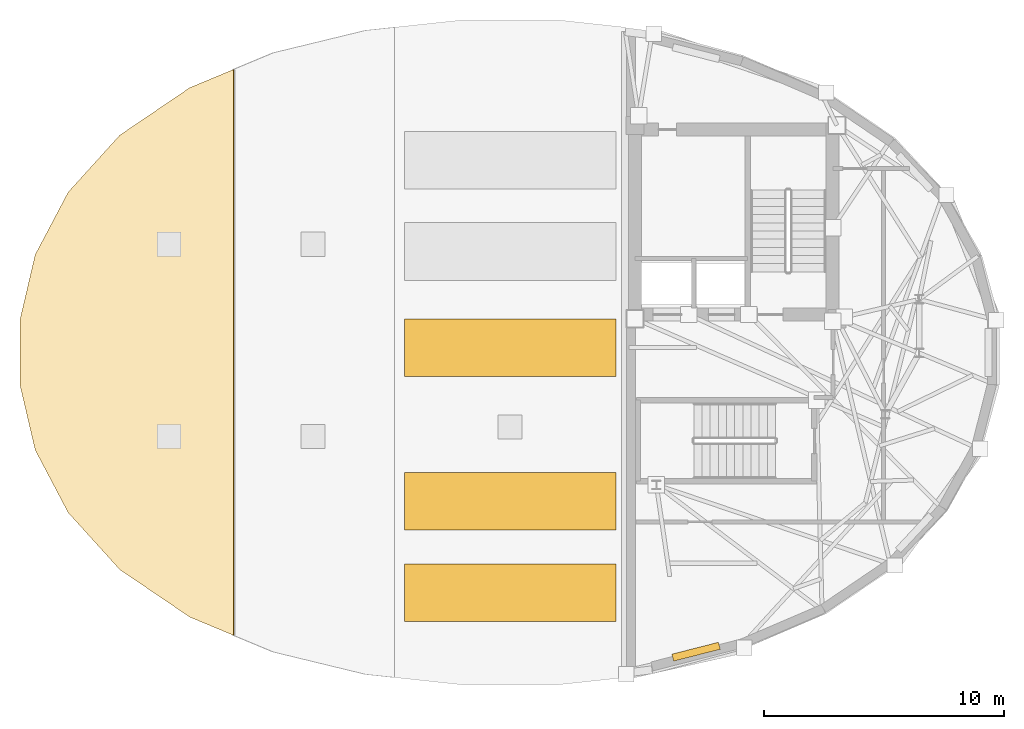
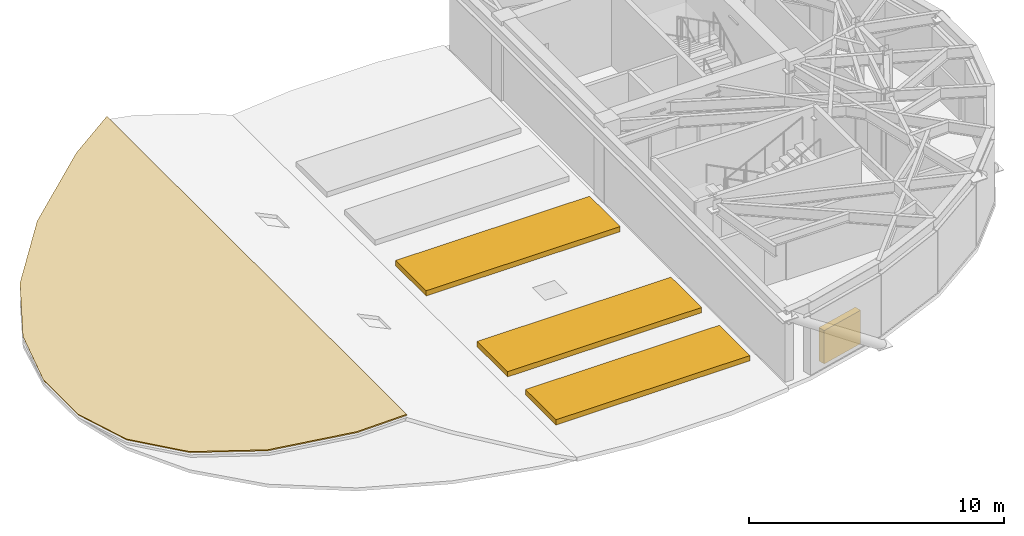
# One storey, part 4 of 5: 4 shading devices, 1 covering.
"""IFC4 building model written with IfcOpenShell, lengths in metres."""

from ifc_helpers import new_model, si_unit, direction, frame, origin, origin_2d, place, context, subcontext, project, spatial, polyline, rectangle, outline, extrude, material, layer, layer_set, type_object, element, save


model = new_model("IFC4")

# Units and contexts
model_context = context("Model", 3, precision=1e-05, world=origin(), true_north=direction((0.0, 1.0)))
body_context = subcontext(model_context, "Body", "Model", "MODEL_VIEW")
ifc_project = project(units=[si_unit("LENGTHUNIT", "METRE"), si_unit("AREAUNIT", "SQUARE_METRE"), si_unit("VOLUMEUNIT", "CUBIC_METRE"), si_unit("PLANEANGLEUNIT", "RADIAN"), si_unit("MASSUNIT", "GRAM", prefix="KILO")], contexts=[model_context])

# Site, building, storey
site_placement = place(None, origin())
site = spatial("IfcSite", under=ifc_project, at=site_placement, CompositionType="ELEMENT")
building_placement = place(site_placement, origin())
building = spatial("IfcBuilding", under=site, at=building_placement, Name="Keldmark Tower", CompositionType="ELEMENT")
storey_placement = place(building_placement, frame((0.0, 0.0, 284.39990234375)))
storey = spatial("IfcBuildingStorey", under=building, at=storey_placement, Name="L80", CompositionType="ELEMENT", Elevation=284.39990234375)

# Shading devices
ifc_material_1 = material(Name="Fluoropolymer-Coated Extruded Aluminum Stormproof Blades", Category="aluminium")
shading_device_type = type_object("IfcShadingDeviceType", Name="Mechanical Floor Acoustic Intake Louvre", PredefinedType="JALOUSIE", material=ifc_material_1)
shading_device_placement = place(storey_placement, frame((7.74365234375, -12.456298828125, 0.0), z_axis=(0.0, 0.0, 1.0), x_axis=(0.968998485261, 0.247066662181, 0.0)))
element("IfcShadingDevice", 1, at=shading_device_placement, inside=storey, type_object=shading_device_type, Name="L80 Crown Screen Acoustic Louvre E13", PredefinedType="JALOUSIE", context=body_context, shape_type="SweptSolid", body=[
    extrude(rectangle(XDim=2.0, YDim=0.300048828125, at=origin_2d()), origin(), (0.0, 0.0, 1.0), 1.60009765625),
])
for number, where, z_axis, x_axis, name in (
    (2, (0.0, -10.0, 0.0), (0.0, 0.0, 1.0), (1.0, 0.0, 0.0), "L80 Crown Sky-Slot Weather Louvre Grille 01"),
    (3, (0.0, -6.199951171875, 0.0), (0.0, 0.0, 1.0), (1.0, 0.0, 0.0), "L80 Crown Sky-Slot Weather Louvre Grille 02"),
    (4, (0.0, 0.199951171875, 0.0), (0.0, 0.0, 1.0), (1.0, 0.0, 0.0), "L80 Crown Sky-Slot Weather Louvre Grille 03"),
):
    element("IfcShadingDevice", number, at=place(storey_placement, frame(where, z_axis=z_axis, x_axis=x_axis)), inside=storey, type_object=shading_device_type, Name=name, PredefinedType="JALOUSIE", context=body_context, shape_type="SweptSolid", body=[
        extrude(rectangle(XDim=8.800048828125, YDim=2.39990234375, at=origin_2d()), origin(), (0.0, 0.0, 1.0), 0.25),
    ])

# Covering
ifc_material_2 = material(Name="PVDF-Coated Standing-Seam Architectural Metal Roofing", Category="metal")
ifc_layer = layer(ifc_material_2, 0.06494140625)
ifc_layer_set = layer_set([ifc_layer], Name="PVDF-Coated Standing-Seam Architectural Metal Roofing")
covering_type = type_object("IfcCoveringType", Name="Standing-Seam Coated Zinc-Steel Roof Cladding", PredefinedType="ROOFING", material=ifc_layer_set)
covering_placement = place(storey_placement, frame((-13.327880859375, -11.015869140625, 2.694091796875), z_axis=(-0.33865099573, 0.0, 0.94091205917), x_axis=(-0.793136096719, 0.538001443097, -0.28546379684)))
element("IfcCovering", 5, at=covering_placement, inside=storey, type_object=covering_type, Name="L80 West Crown Peak Standing-Seam Metal Roof", PredefinedType="ROOFING", context=body_context, shape_type="SweptSolid", body=[
    extrude(outline(polyline([(0.0, 0.0), (3.6716291791017044, -8.326672684688674e-17), (6.873711875355865, -0.7717783959227157), (9.501539030822283, -2.180583339595807), (11.522351125213595, -4.098164599297318), (12.988194900840123, -6.39485749818364), (13.876478500228052, -9.03526497723968), (14.047677407360315, -12.011991008052926), (13.399262693698534, -15.241315061964249), (11.853106989255295, -18.571519765349414), (10.625199668064027, -20.258572120159624), (-2.047256198642726, -0.40329157494883805), (0.0, 0.0)])), origin(), (0.0, 0.0, -1.0), 0.06494140625),
])

save(model, "model.ifc")
